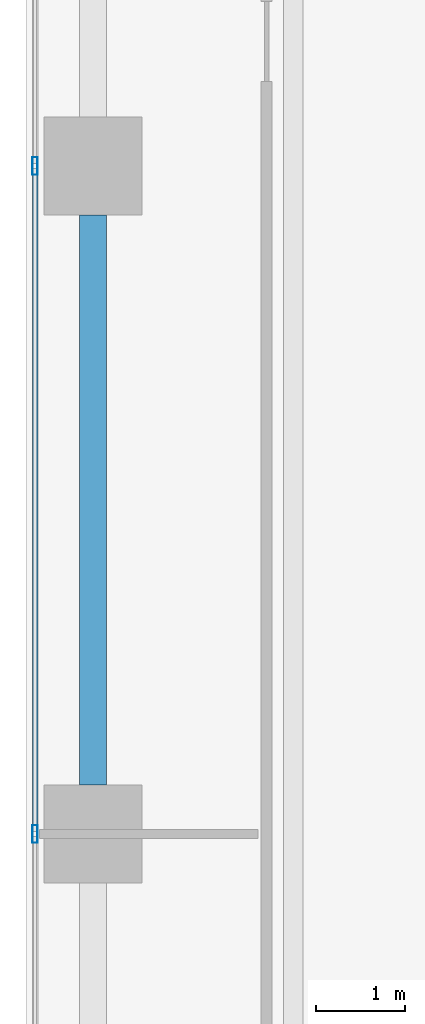
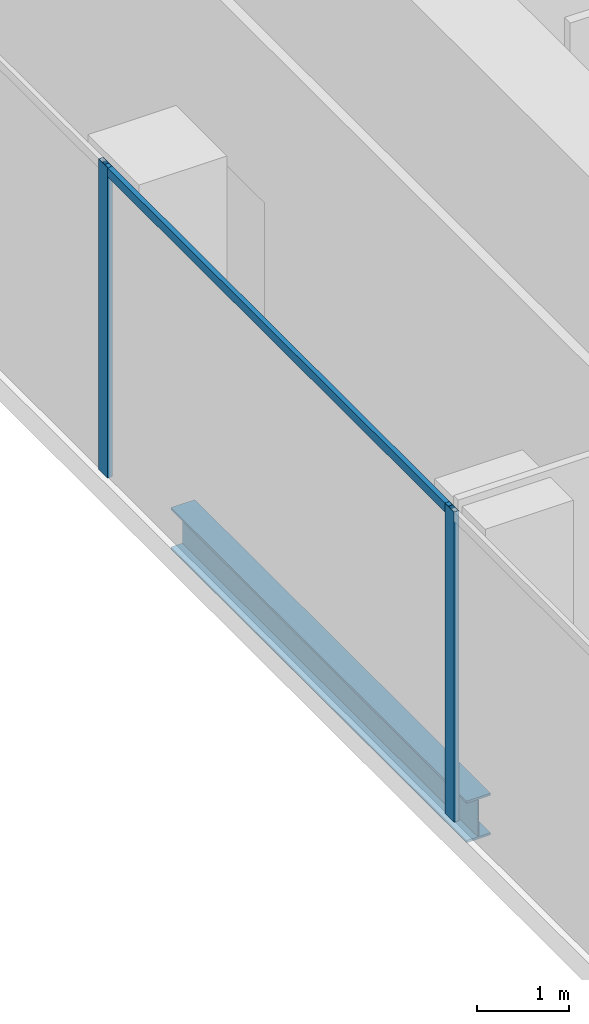
# One storey, part 7 of 34: 3 members, 1 beam, 1 element without a shape of its own.
"""IFC4 building model written with IfcOpenShell, lengths in metres."""

from ifc_helpers import new_model, si_unit, direction, frame, origin, origin_2d, place, context, subcontext, project, spatial, hollow_rectangle, i_section, extrude, source, transform, mapped, material, material_profile, profile_set, type_object, element, aggregate, save


model = new_model("IFC4")

# Units and contexts
model_context = context("Model", 3, precision=1e-05, world=origin(), true_north=direction((0.0, 1.0)))
body_context = subcontext(model_context, "Body", "Model", "MODEL_VIEW")
ifc_project = project(units=[si_unit("LENGTHUNIT", "METRE"), si_unit("AREAUNIT", "SQUARE_METRE"), si_unit("VOLUMEUNIT", "CUBIC_METRE"), si_unit("PLANEANGLEUNIT", "RADIAN"), si_unit("MASSUNIT", "GRAM", prefix="KILO")], contexts=[model_context])

# Site, building, storey
site_placement = place(None, origin())
site = spatial("IfcSite", under=ifc_project, at=site_placement, CompositionType="ELEMENT")
building_placement = place(site_placement, origin())
building = spatial("IfcBuilding", under=site, at=building_placement, Name="Khomas Fold Tower", CompositionType="ELEMENT")
storey_placement = place(building_placement, frame((0.0, 0.0, 110.300048828125)))
storey = spatial("IfcBuildingStorey", under=building, at=storey_placement, Name="L23", CompositionType="ELEMENT", Elevation=110.300048828125)

# Beam
ifc_material_1 = material(Name="Steel S355", Category="steel")
ifc_material_profile_1 = material_profile(ifc_material_1, i_section(OverallWidth=0.300048828125, OverallDepth=0.550048828125, WebThickness=0.014892578125, FlangeThickness=0.029052734375, at=origin_2d()), Name="HE 550 B")
ifc_profile_set_1 = profile_set([ifc_material_profile_1], Name="Steel S355")
beam_type = type_object("IfcBeamType", Name="HE 550 B spandrel SB2", PredefinedType="SPANDREL", material=ifc_profile_set_1)
shared_shape_1 = source(origin(), body_context, "Body", "SweptSolid", [
    extrude(i_section(OverallWidth=0.300048828125, OverallDepth=0.550048828125, WebThickness=0.014892578125, FlangeThickness=0.029052734375, at=origin_2d()), origin(), (0.0, 0.0, 1.0), 6.39990234375),
])
beam_placement = place(storey_placement, frame((2.25, 20.050048828125, -0.574951171875), z_axis=(0.0, 1.0, 0.0), x_axis=(-1.0, 0.0, 0.0)))
element("IfcBeam", 1, at=beam_placement, inside=storey, type_object=beam_type, Name="SB2", PredefinedType="SPANDREL", context=body_context, shape_type="MappedRepresentation", body=[
    mapped(shared_shape_1, transform((0.0, 0.0, 0.0))),
])

# Curtain wall, members
ifc_material_2 = material(Name="Aluminium framed double glazing", Category="aluminium")
curtain_wall_type = type_object("IfcCurtainWallType", Name="SK-Unitised clear-glass wall, growing floors CW1", PredefinedType="NOTDEFINED", material=ifc_material_2)
curtain_wall_placement = place(storey_placement, origin())
curtain_wall = element("IfcCurtainWall", 2, at=curtain_wall_placement, inside=storey, type_object=curtain_wall_type, Name="CW1 run L23 09-0", PredefinedType="NOTDEFINED")
ifc_material_3 = material(Name="Aluminium", Category="aluminium")
ifc_material_profile_2 = material_profile(ifc_material_3, hollow_rectangle(XDim=0.06005859375, YDim=0.1201171875, WallThickness=0.00390625, at=origin_2d()), Name="SK-Unitised clear-glass wall, growing floors transom CW1-T")
ifc_profile_set_2 = profile_set([ifc_material_profile_2], Name="Aluminium")
member_type_1 = type_object("IfcMemberType", Name="SK-Unitised clear-glass wall, growing floors transom CW1-T", PredefinedType="USERDEFINED", material=ifc_profile_set_2)
shared_shape_2 = source(origin(), body_context, "Body", "SweptSolid", [
    extrude(hollow_rectangle(XDim=0.06005859375, YDim=0.1201171875, WallThickness=0.00390625, at=origin_2d()), origin(), (0.0, 0.0, 1.0), 7.43994140625),
])
member_1_placement = place(storey_placement, frame((1.60009765625, 26.969970703125, 4.0400390625), z_axis=(0.0, -1.0, 0.0), x_axis=(1.0, 0.0, 0.0)))
member_1 = element("IfcMember", 3, at=member_1_placement, type_object=member_type_1, Name="CW1 transom 5", ObjectType="TRANSOM", PredefinedType="USERDEFINED", context=body_context, shape_type="MappedRepresentation", body=[
    mapped(shared_shape_2, transform((0.0, 0.0, 0.0))),
])
ifc_material_4 = material(Name="Aluminium", Category="aluminium")
ifc_material_profile_3 = material_profile(ifc_material_4, hollow_rectangle(XDim=0.06005859375, YDim=0.199951171875, WallThickness=0.00390625, at=origin_2d()), Name="SK-Unitised clear-glass wall, growing floors mullion CW1-M")
ifc_profile_set_3 = profile_set([ifc_material_profile_3], Name="Aluminium")
member_type_2 = type_object("IfcMemberType", Name="SK-Unitised clear-glass wall, growing floors mullion CW1-M", PredefinedType="MULLION", material=ifc_profile_set_3)
shared_shape_3 = source(origin(), body_context, "Body", "SweptSolid", [
    extrude(hollow_rectangle(XDim=0.06005859375, YDim=0.199951171875, WallThickness=0.00390625, at=origin_2d()), origin(), (0.0, 0.0, 1.0), 4.099853515625),
])
member_2_placement = place(storey_placement, frame((1.60009765625, 27.0, 0.0), z_axis=(0.0, 0.0, 1.0), x_axis=(1.0, 0.0, 0.0)))
member_2 = element("IfcMember", 4, at=member_2_placement, type_object=member_type_2, Name="CW1 mullion 5", PredefinedType="MULLION", context=body_context, shape_type="MappedRepresentation", body=[
    mapped(shared_shape_3, transform((0.0, 0.0, 0.0))),
])
member_3_placement = place(storey_placement, frame((1.60009765625, 19.5, 0.0), z_axis=(0.0, 0.0, 1.0), x_axis=(1.0, 0.0, 0.0)))
member_3 = element("IfcMember", 5, at=member_3_placement, type_object=member_type_2, Name="CW1 mullion 6", PredefinedType="MULLION", context=body_context, shape_type="MappedRepresentation", body=[
    mapped(shared_shape_3, transform((0.0, 0.0, 0.0))),
])
aggregate(curtain_wall, [member_2, member_3, member_1])

save(model, "model.ifc")
